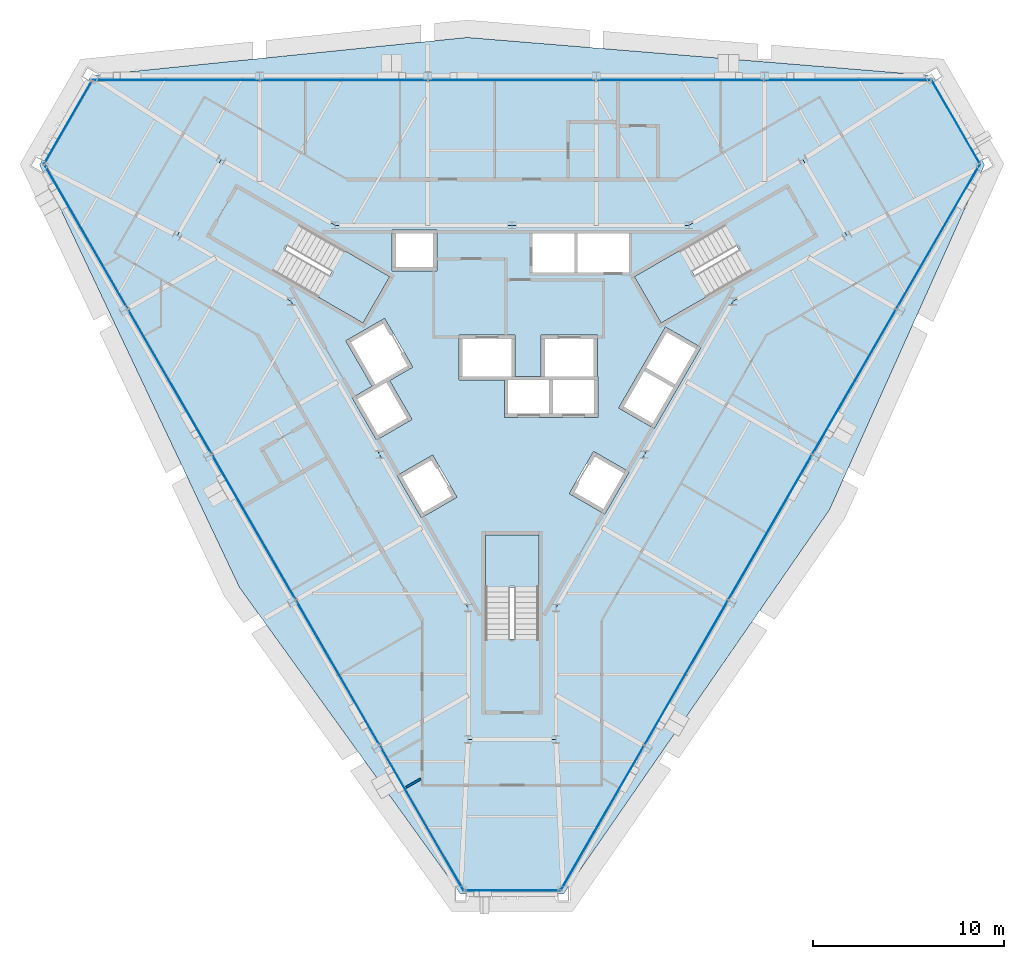
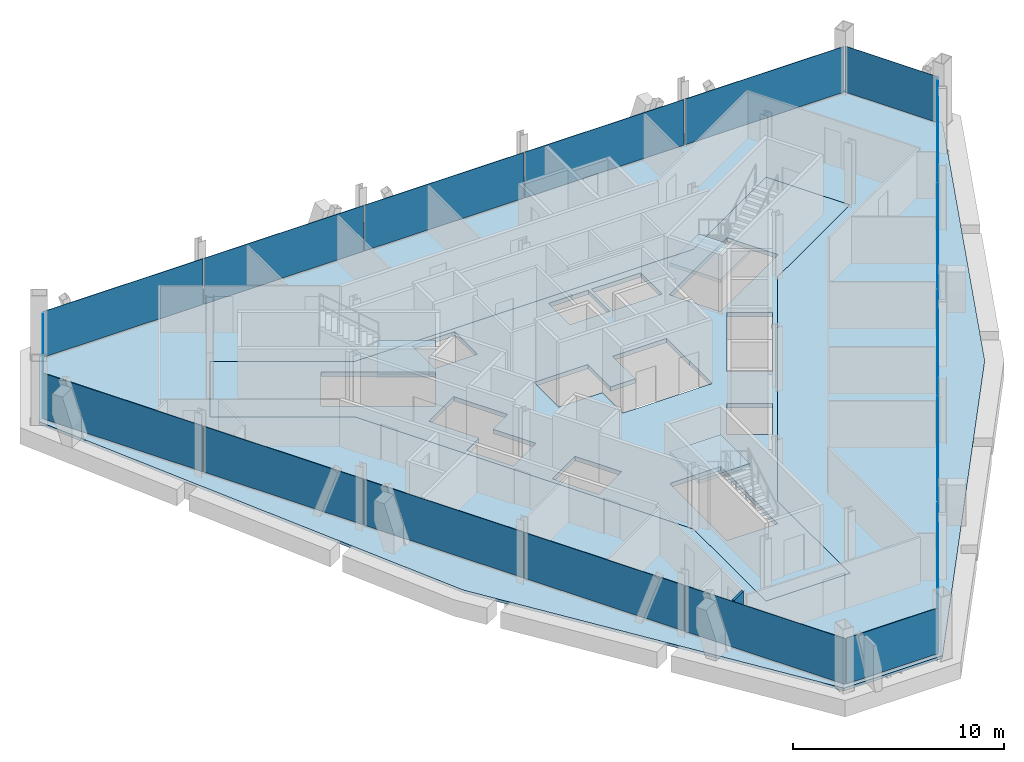
# One storey, part 8 of 14: 18 plates, 5 slabs, 1 wall, 9 elements without a shape of their own.
"""IFC4 building model written with IfcOpenShell, lengths in metres."""

import ifcopenshell
import ifcopenshell.guid

model = None  # the IFC model being written
_history = None  # IfcOwnerHistory: only IFC2X3 demands one
_inside = {}  # id of a spatial element -> (the spatial element, [elements in it])
_under = {}  # id of a project, library or spatial element -> (it, [spatial elements below it])
_declared = {}  # id of a project -> (the project, [libraries it declares])
_typed = {}  # id of a type object -> (the type object, [elements of that type])
_made_of = {}  # id of a material, layer set ... -> (it, [elements and type objects made of it])


def new_model(schema):
    """Start an empty IFC model of exactly this schema.

    Asked for "IFC4X3", IfcOpenShell would pick the latest addendum, in which some entities
    have other attributes; the version numbers below select the first issue.
    IFC2X3 requires an IfcOwnerHistory on every rooted entity: one is made here for all.
    """
    global model, _history
    if schema == "IFC4X3":
        model = ifcopenshell.file(schema_version=(4, 3, 0, 0))
    else:
        model = ifcopenshell.file(schema=schema)
    _inside.clear()
    _under.clear()
    _declared.clear()
    _typed.clear()
    _made_of.clear()
    _history = None
    if model.schema == "IFC2X3":
        org = make("IfcOrganization", Name="unknown")
        user = make(
            "IfcPersonAndOrganization",
            ThePerson=make("IfcPerson", FamilyName="unknown"),
            TheOrganization=org,
        )
        app = make(
            "IfcApplication",
            ApplicationDeveloper=org,
            Version="unknown",
            ApplicationFullName="unknown",
            ApplicationIdentifier="unknown",
        )
        _history = make(
            "IfcOwnerHistory",
            OwningUser=user,
            OwningApplication=app,
            ChangeAction="ADDED",
            CreationDate=0,
        )
    return model


def make(cls, **values):
    """One entity of the class cls with the attributes given. An attribute that is None is left unset."""
    return model.create_entity(
        cls, **{name: value for name, value in values.items() if value is not None}
    )


def rooted(cls, **values):
    """An entity with a GlobalId (a new one), such as an element, a storey or a relation."""
    return make(cls, GlobalId=ifcopenshell.guid.new(), OwnerHistory=_history, **values)


def si_unit(unit_type, name, prefix=None):
    """IfcSIUnit, for example si_unit("LENGTHUNIT", "METRE", prefix="MILLI")."""
    return make("IfcSIUnit", UnitType=unit_type, Prefix=prefix, Name=name)


def assignment(units):
    """IfcUnitAssignment: the units of a project."""
    return None if units is None else make("IfcUnitAssignment", Units=units)


def point(xyz):
    """IfcCartesianPoint."""
    return None if xyz is None else make("IfcCartesianPoint", Coordinates=xyz)


def direction(xyz):
    """IfcDirection."""
    return None if xyz is None else make("IfcDirection", DirectionRatios=xyz)


def frame(location, z_axis=None, x_axis=None):
    """IfcAxis2Placement3D, a coordinate frame: its origin and axes. An axis left out is left unset."""
    return make(
        "IfcAxis2Placement3D",
        Location=point(location),
        Axis=direction(z_axis),
        RefDirection=direction(x_axis),
    )


def frame_2d(location, x_axis=None):
    """IfcAxis2Placement2D, a coordinate frame in the plane: its origin and x axis."""
    return make(
        "IfcAxis2Placement2D", Location=point(location), RefDirection=direction(x_axis)
    )


def origin():
    """The frame at (0, 0, 0) with its axes left unset."""
    return frame((0.0, 0.0, 0.0))


def origin_2d():
    """The frame at (0, 0) in the plane with its x axis left unset."""
    return frame_2d((0.0, 0.0))


def place(relative_to, where):
    """IfcLocalPlacement: puts the frame where relative to a parent placement (None: the world)."""
    return make(
        "IfcLocalPlacement", PlacementRelTo=relative_to, RelativePlacement=where
    )


def context(
    kind, dimensions, precision=None, world=None, true_north=None, identifier=None
):
    """IfcGeometricRepresentationContext, for example the 3D "Model" context."""
    return make(
        "IfcGeometricRepresentationContext",
        ContextIdentifier=identifier,
        ContextType=kind,
        CoordinateSpaceDimension=dimensions,
        Precision=precision,
        WorldCoordinateSystem=world,
        TrueNorth=true_north,
    )


def subcontext(parent, identifier, kind, view, scale=None):
    """IfcGeometricRepresentationSubContext, for example "Body" below "Model"."""
    return make(
        "IfcGeometricRepresentationSubContext",
        ContextIdentifier=identifier,
        ContextType=kind,
        ParentContext=parent,
        TargetScale=scale,
        TargetView=view,
    )


def project(units=None, contexts=None):
    """IfcProject with its units and contexts."""
    return rooted(
        "IfcProject",
        Name="project",
        RepresentationContexts=contexts,
        UnitsInContext=assignment(units),
    )


def spatial(cls, under=None, at=None, **own):
    """A site, building, storey or space (cls), placed at a placement, below another one or the project."""
    s = rooted(cls, ObjectPlacement=at, **own)
    if under is not None:
        _under.setdefault(under.id(), (under, []))[1].append(s)
    return s


def polyline(points):
    """IfcPolyline through the points."""
    return make("IfcPolyline", Points=[point(p) for p in points])


def profile(cls, at=None, kind="AREA", **sizes):
    """A parametric profile (cls). Its sizes go by their IFC names, for example OverallWidth=200.0."""
    return make(cls, ProfileType=kind, Position=at, **sizes)


def rectangle(**sizes):
    """IfcRectangleProfileDef."""
    return profile("IfcRectangleProfileDef", **sizes)


def outline(outer, holes=None, kind="AREA"):
    """IfcArbitraryClosedProfileDef: a profile drawn as a closed curve; with holes, ...WithVoids."""
    if holes is None:
        return make("IfcArbitraryClosedProfileDef", ProfileType=kind, OuterCurve=outer)
    return make(
        "IfcArbitraryProfileDefWithVoids",
        ProfileType=kind,
        OuterCurve=outer,
        InnerCurves=holes,
    )


def extrude(swept, where, along, depth):
    """IfcExtrudedAreaSolid: the profile swept, set in the frame where, extruded along a direction by depth."""
    return make(
        "IfcExtrudedAreaSolid",
        SweptArea=swept,
        Position=where,
        ExtrudedDirection=direction(along),
        Depth=depth,
    )


def shape(context_of_items, identifier, shape_type, items):
    """IfcShapeRepresentation: the items that make up one representation, for example the "Body"."""
    return make(
        "IfcShapeRepresentation",
        ContextOfItems=context_of_items,
        RepresentationIdentifier=identifier,
        RepresentationType=shape_type,
        Items=items,
    )


def material(Name=None, Category=None):
    """IfcMaterial."""
    return make("IfcMaterial", Name=Name, Category=Category)


def layer(
    of_material, thickness, ventilated=None, Name=None, Category=None, Priority=None
):
    """IfcMaterialLayer: one layer of a wall or slab, of a material (None: an air gap)."""
    return make(
        "IfcMaterialLayer",
        Material=of_material,
        LayerThickness=thickness,
        IsVentilated=ventilated,
        Name=Name,
        Category=Category,
        Priority=Priority,
    )


def layer_set(layers, Name=None):
    """IfcMaterialLayerSet."""
    return make("IfcMaterialLayerSet", MaterialLayers=layers, LayerSetName=Name)


def made_of(thing, what):
    """Note that an element or type object is made of a material, layer set ...; save() writes the relation."""
    if what is not None:
        _made_of.setdefault(what.id(), (what, []))[1].append(thing)
    return thing


def type_object(cls, material=None, **own):
    """A type object (cls), such as IfcWallType, which elements share."""
    return made_of(rooted(cls, **own), material)


def element(
    cls,
    number,
    at=None,
    inside=None,
    cuts=None,
    type_object=None,
    material=None,
    context=None,
    identifier="Body",
    shape_type=None,
    held_by="IfcProductDefinitionShape",
    body=None,
    shapes=None,
    **own,
):
    """One element of the class cls, such as IfcWall. Its Tag is "e" and its number.

    at: its placement. inside: the storey or other place that contains it. cuts: it is an
    opening in that element (IfcRelVoidsElement). A single representation is given by context,
    identifier, shape_type and body (its items); several are given by shapes. held_by: the class
    of the entity that holds the representations. save() writes the other relations.
    """
    e = rooted(cls, Tag="e%d" % number, ObjectPlacement=at, **own)
    if body is not None:
        shapes = [shape(context, identifier, shape_type, body)]
    if shapes is not None:
        e.Representation = make(held_by, Representations=shapes)
    if inside is not None:
        _inside.setdefault(inside.id(), (inside, []))[1].append(e)
    if cuts is not None:
        rooted(
            "IfcRelVoidsElement", RelatingBuildingElement=cuts, RelatedOpeningElement=e
        )
    if type_object is not None:
        _typed.setdefault(type_object.id(), (type_object, []))[1].append(e)
    return made_of(e, material)


def aggregate(whole, parts):
    """IfcRelAggregates: a whole, such as a stair, and the parts it consists of."""
    return rooted("IfcRelAggregates", RelatingObject=whole, RelatedObjects=parts)


def save(model, path):
    """Write the relations noted so far, then the file.

    IfcRelAggregates (storeys below a building ...), IfcRelContainedInSpatialStructure (elements
    in a storey), IfcRelDefinesByType, IfcRelAssociatesMaterial and IfcRelDeclares: one each for
    every whole, place, type object, material and project.
    """
    for whole, parts in _under.values():
        aggregate(whole, parts)
    for where, things in _inside.values():
        rooted(
            "IfcRelContainedInSpatialStructure",
            RelatedElements=things,
            RelatingStructure=where,
        )
    for kind, things in _typed.values():
        rooted("IfcRelDefinesByType", RelatedObjects=things, RelatingType=kind)
    for what, things in _made_of.values():
        rooted("IfcRelAssociatesMaterial", RelatedObjects=things, RelatingMaterial=what)
    for by, libraries in _declared.values():
        rooted("IfcRelDeclares", RelatingContext=by, RelatedDefinitions=libraries)
    model.write(path)


model = new_model("IFC4")

# Units and contexts
model_context = context("Model", 3, precision=1e-05, world=origin(), true_north=direction((0.0, 1.0)))
body_context = subcontext(model_context, "Body", "Model", "MODEL_VIEW")
ifc_project = project(units=[si_unit("LENGTHUNIT", "METRE"), si_unit("AREAUNIT", "SQUARE_METRE"), si_unit("VOLUMEUNIT", "CUBIC_METRE"), si_unit("PLANEANGLEUNIT", "RADIAN"), si_unit("MASSUNIT", "GRAM", prefix="KILO")], contexts=[model_context])

# Site, building, storey
site_placement = place(None, origin())
site = spatial("IfcSite", under=ifc_project, at=site_placement, CompositionType="ELEMENT")
building_placement = place(site_placement, origin())
building = spatial("IfcBuilding", under=site, at=building_placement, Name="Verrane Prism Tower", CompositionType="ELEMENT")
storey_placement = place(building_placement, frame((0.0, 0.0, 224.89990234375)))
storey = spatial("IfcBuildingStorey", under=building, at=storey_placement, Name="L56", CompositionType="ELEMENT", Elevation=224.89990234375)

# Slabs
ifc_material_1 = material(Name="Concrete C35/45", Category="concrete")
ifc_layer_1 = layer(ifc_material_1, 0.159912109375)
ifc_layer_set_1 = layer_set([ifc_layer_1], Name="Composite floor slab")
slab_type_1 = type_object("IfcSlabType", Name="Composite floor slab", PredefinedType="FLOOR", material=ifc_layer_set_1)
slab_1_placement = place(storey_placement, frame((0.0, 0.0, -0.159912109375)))
element("IfcSlab", 1, at=slab_1_placement, inside=storey, type_object=slab_type_1, Name="Floor slab L56", PredefinedType="FLOOR", context=body_context, shape_type="SweptSolid", body=[
    extrude(outline(polyline([(16.6162109375, -6.880126953125), (2.695068359375, -26.9921875), (-2.695068359375, -26.9921875), (-14.266357421875, -10.949951171875), (-24.723388671875, 11.162109375), (-22.0283203125, 15.830078125), (-2.349609375, 17.830078125), (22.0283203125, 15.830078125), (24.723388671875, 11.162109375), (16.6162109375, -6.880126953125)]), holes=[polyline([(17.52001953125, 7.4599609375), (15.219970703125, 11.43994140625), (9.260009765625, 8.0), (0.0, 8.0), (-9.260009765625, 8.0), (-15.219970703125, 11.43994140625), (-17.52001953125, 7.4599609375), (-11.56005859375, 4.02001953125), (-6.929931640625, -4.0), (-2.300048828125, -12.02001953125), (-2.300048828125, -18.89990234375), (2.300048828125, -18.89990234375), (2.300048828125, -12.02001953125), (6.929931640625, -4.0), (11.56005859375, 4.02001953125), (17.52001953125, 7.4599609375)])]), origin(), (0.0, 0.0, 1.0), 0.159912109375),
])
ifc_material_2 = material(Name="Concrete C40/50", Category="concrete")
ifc_layer_2 = layer(ifc_material_2, 0.25)
ifc_layer_set_2 = layer_set([ifc_layer_2], Name="Core floor slab 250 concrete C40/50")
slab_type_2 = type_object("IfcSlabType", Name="Core floor slab 250 concrete C40/50", PredefinedType="FLOOR", material=ifc_layer_set_2)
slab_2_placement = place(storey_placement, frame((0.0, 0.0, -0.25)))
element("IfcSlab", 2, at=slab_2_placement, inside=storey, type_object=slab_type_2, Name="Core floor L56", PredefinedType="FLOOR", context=body_context, shape_type="SweptSolid", body=[
    extrude(outline(polyline([(11.56005859375, 4.02001953125), (17.52001953125, 7.4599609375), (15.219970703125, 11.43994140625), (9.260009765625, 8.0), (0.0, 8.0), (-9.260009765625, 8.0), (-15.219970703125, 11.43994140625), (-17.52001953125, 7.4599609375), (-11.56005859375, 4.02001953125), (-6.929931640625, -4.0), (-2.300048828125, -12.02001953125), (-2.300048828125, -18.89990234375), (2.300048828125, -18.89990234375), (2.300048828125, -12.02001953125), (6.929931640625, -4.0), (11.56005859375, 4.02001953125)]), holes=[polyline([(1.39990234375, -8.199951171875), (1.39990234375, -13.639892578125), (-1.39990234375, -13.639892578125), (-1.39990234375, -8.199951171875), (1.39990234375, -8.199951171875)]), polyline([(-2.881103515625, -6.22998046875), (-4.742919921875, -7.304931640625), (-6.01806640625, -5.096923828125), (-4.156005859375, -4.02197265625), (-2.881103515625, -6.22998046875)]), polyline([(-7.801025390625, 2.887939453125), (-12.512939453125, 5.60791015625), (-11.113037109375, 8.031982421875), (-6.40087890625, 5.31201171875), (-7.801025390625, 2.887939453125)]), polyline([(-6.284912109375, 5.610107421875), (-6.284912109375, 7.760009765625), (-3.93505859375, 7.760009765625), (-3.93505859375, 5.610107421875), (-6.284912109375, 5.610107421875)]), polyline([(4.26611328125, -3.8310546875), (6.1279296875, -4.906005859375), (4.85302734375, -7.114990234375), (2.990966796875, -6.0400390625), (4.26611328125, -3.8310546875)]), polyline([(7.43798828125, -2.636962890625), (5.575927734375, -1.56201171875), (8.02587890625, 2.680908203125), (9.887939453125, 1.60595703125), (7.43798828125, -2.636962890625)]), polyline([(0.1650390625, 0.10009765625), (1.52490234375, 0.10009765625), (1.52490234375, 2.25), (4.47509765625, 2.25), (4.47509765625, 0.10009765625), (4.4951171875, 0.10009765625), (4.4951171875, -2.050048828125), (-0.405029296875, -2.050048828125), (-0.405029296875, -0.10009765625), (-2.784912109375, -0.10009765625), (-2.784912109375, 2.25), (0.1650390625, 2.25), (0.1650390625, 0.10009765625)]), polyline([(6.40087890625, 5.31201171875), (11.113037109375, 8.031982421875), (12.512939453125, 5.60791015625), (7.801025390625, 2.887939453125), (6.40087890625, 5.31201171875)]), polyline([(1.074951171875, 5.534912109375), (1.074951171875, 7.56005859375), (3.264892578125, 7.56005859375), (3.264892578125, 5.534912109375), (1.074951171875, 5.534912109375)]), polyline([(3.4150390625, 7.56005859375), (6.125, 7.56005859375), (6.125, 5.534912109375), (3.4150390625, 5.534912109375), (3.4150390625, 7.56005859375)]), polyline([(-5.23095703125, -2.159912109375), (-7.093017578125, -3.235107421875), (-8.367919921875, -1.02587890625), (-7.3291015625, -0.426025390625), (-8.7041015625, 1.955078125), (-6.66796875, 3.1298828125), (-5.193115234375, 0.574951171875), (-6.406005859375, -0.125), (-5.23095703125, -2.159912109375)])]), origin(), (0.0, 0.0, 1.0), 0.25),
])

# Curtain wall, plate
ifc_material_3 = material(Name="Aluminium framed insulated glazing", Category="aluminium")
curtain_wall_type_1 = type_object("IfcCurtainWallType", Name="Curtain wall CW-C 4200 module", PredefinedType="NOTDEFINED", material=ifc_material_3)
curtain_wall_1_placement = place(storey_placement, origin())
curtain_wall_1 = element("IfcCurtainWall", 3, at=curtain_wall_1_placement, inside=storey, type_object=curtain_wall_type_1, Name="Glazed curtain wall north-east corner L56", PredefinedType="NOTDEFINED")
ifc_material_4 = material(Name="Low-iron insulating glass unit", Category="glass")
ifc_layer_3 = layer(ifc_material_4, 0.02392578125)
ifc_layer_set_3 = layer_set([ifc_layer_3], Name="Glazing panel IGU 24")
plate_type_1 = type_object("IfcPlateType", Name="Glazing panel IGU 24", PredefinedType="CURTAIN_PANEL", material=ifc_layer_set_3)
plate_1_placement = place(storey_placement, frame((23.209716796875, 13.428955078125, 0.05029296875), z_axis=(0.0, 0.0, 1.0), x_axis=(-0.499995175981, 0.866028188915, 0.0)))
plate_1 = element("IfcPlate", 4, at=plate_1_placement, type_object=plate_type_1, Name="CW54.1 panel 1", PredefinedType="CURTAIN_PANEL", context=body_context, shape_type="SweptSolid", body=[
    extrude(rectangle(XDim=5.017822265625, YDim=0.02392578125, at=origin_2d()), origin(), (0.0, 0.0, 1.0), 2.662841796875),
])
aggregate(curtain_wall_1, [plate_1])

# Curtain wall, plates
ifc_material_5 = material(Name="Aluminium framed insulated glazing", Category="aluminium")
curtain_wall_type_2 = type_object("IfcCurtainWallType", Name="Curtain wall CW-A 8400 module", PredefinedType="NOTDEFINED", material=ifc_material_5)
curtain_wall_2_placement = place(storey_placement, origin())
curtain_wall_2 = element("IfcCurtainWall", 5, at=curtain_wall_2_placement, inside=storey, type_object=curtain_wall_type_2, Name="Glazed curtain wall north face L56", PredefinedType="NOTDEFINED")
ifc_material_6 = material(Name="Low-iron insulating glass unit", Category="glass")
ifc_layer_4 = layer(ifc_material_6, 0.031982421875)
ifc_layer_set_4 = layer_set([ifc_layer_4], Name="Glazing panel IGU 32")
plate_type_2 = type_object("IfcPlateType", Name="Glazing panel IGU 32", PredefinedType="CURTAIN_PANEL", material=ifc_layer_set_4)
plate_2_placement = place(storey_placement, frame((17.546630859375, 15.601806640625, 0.0703125), z_axis=(0.0, 0.0, 1.0), x_axis=(-1.0, 0.0, 0.0)))
plate_2 = element("IfcPlate", 6, at=plate_2_placement, type_object=plate_type_2, Name="CW54.2 panel 1", PredefinedType="CURTAIN_PANEL", context=body_context, shape_type="SweptSolid", body=[
    extrude(rectangle(XDim=8.677001953125, YDim=0.031982421875, at=origin_2d()), origin(), (0.0, 0.0, 1.0), 2.642822265625),
])
plate_3_placement = place(storey_placement, frame((8.7822265625, 15.601806640625, 0.0703125), z_axis=(0.0, 0.0, 1.0), x_axis=(-1.0, 0.0, 0.0)))
plate_3 = element("IfcPlate", 7, at=plate_3_placement, type_object=plate_type_2, Name="CW54.2 panel 2", PredefinedType="CURTAIN_PANEL", context=body_context, shape_type="SweptSolid", body=[
    extrude(rectangle(XDim=8.712158203125, YDim=0.031982421875, at=origin_2d()), origin(), (0.0, 0.0, 1.0), 2.642822265625),
])
plate_4_placement = place(storey_placement, frame((0.0, 15.601806640625, 0.0703125), z_axis=(0.0, 0.0, 1.0), x_axis=(-1.0, 0.0, 0.0)))
plate_4 = element("IfcPlate", 8, at=plate_4_placement, type_object=plate_type_2, Name="CW54.2 panel 3", PredefinedType="CURTAIN_PANEL", context=body_context, shape_type="SweptSolid", body=[
    extrude(rectangle(XDim=8.712158203125, YDim=0.031982421875, at=origin_2d()), origin(), (0.0, 0.0, 1.0), 2.642822265625),
])
plate_5_placement = place(storey_placement, frame((-8.7822265625, 15.601806640625, 0.0703125), z_axis=(0.0, 0.0, 1.0), x_axis=(-1.0, 0.0, 0.0)))
plate_5 = element("IfcPlate", 9, at=plate_5_placement, type_object=plate_type_2, Name="CW54.2 panel 4", PredefinedType="CURTAIN_PANEL", context=body_context, shape_type="SweptSolid", body=[
    extrude(rectangle(XDim=8.712158203125, YDim=0.031982421875, at=origin_2d()), origin(), (0.0, 0.0, 1.0), 2.642822265625),
])
plate_6_placement = place(storey_placement, frame((-17.581787109375, 15.601806640625, 0.0703125), z_axis=(0.0, 0.0, 1.0), x_axis=(-1.0, 0.0, 0.0)))
plate_6 = element("IfcPlate", 10, at=plate_6_placement, type_object=plate_type_2, Name="CW54.2 panel 5", PredefinedType="CURTAIN_PANEL", context=body_context, shape_type="SweptSolid", body=[
    extrude(rectangle(XDim=8.7470703125, YDim=0.031982421875, at=origin_2d()), origin(), (0.0, 0.0, 1.0), 2.642822265625),
])
aggregate(curtain_wall_2, [plate_2, plate_3, plate_4, plate_5, plate_6])

# Curtain wall, plate
curtain_wall_3_placement = place(storey_placement, origin())
curtain_wall_3 = element("IfcCurtainWall", 11, at=curtain_wall_3_placement, inside=storey, type_object=curtain_wall_type_2, Name="Glazed curtain wall north-west corner L56", PredefinedType="NOTDEFINED")
plate_7_placement = place(storey_placement, frame((-23.23974609375, 13.376953125, 0.0703125), z_axis=(0.0, 0.0, 1.0), x_axis=(-0.499995175981, -0.866028188915, 0.0)))
plate_7 = element("IfcPlate", 12, at=plate_7_placement, type_object=plate_type_2, Name="CW54.3 panel 1", PredefinedType="CURTAIN_PANEL", context=body_context, shape_type="SweptSolid", body=[
    extrude(rectangle(XDim=4.997802734375, YDim=0.031982421875, at=origin_2d()), origin(), (0.0, 0.0, 1.0), 2.642822265625),
])
aggregate(curtain_wall_3, [plate_7])

# Curtain wall, plates
curtain_wall_4_placement = place(storey_placement, origin())
curtain_wall_4 = element("IfcCurtainWall", 13, at=curtain_wall_4_placement, inside=storey, type_object=curtain_wall_type_2, Name="Glazed curtain wall south-west face L56", PredefinedType="NOTDEFINED")
plate_8_placement = place(storey_placement, frame((-22.284912109375, 7.39501953125, 0.0703125), z_axis=(0.0, 0.0, 1.0), x_axis=(0.500000937764, -0.866024862365, 0.0)))
plate_8 = element("IfcPlate", 14, at=plate_8_placement, type_object=plate_type_2, Name="CW54.4 panel 1", PredefinedType="CURTAIN_PANEL", context=body_context, shape_type="SweptSolid", body=[
    extrude(rectangle(XDim=8.677001953125, YDim=0.031982421875, at=origin_2d()), origin(), (0.0, 0.0, 1.0), 2.642822265625),
])
plate_9_placement = place(storey_placement, frame((-17.902587890625, -0.1953125, 0.0703125), z_axis=(0.0, 0.0, 1.0), x_axis=(0.500000937764, -0.866024862365, 0.0)))
plate_9 = element("IfcPlate", 15, at=plate_9_placement, type_object=plate_type_2, Name="CW54.4 panel 2", PredefinedType="CURTAIN_PANEL", context=body_context, shape_type="SweptSolid", body=[
    extrude(rectangle(XDim=8.712158203125, YDim=0.031982421875, at=origin_2d()), origin(), (0.0, 0.0, 1.0), 2.642822265625),
])
plate_10_placement = place(storey_placement, frame((-13.511474609375, -7.80078125, 0.0703125), z_axis=(0.0, 0.0, 1.0), x_axis=(0.500000937764, -0.866024862365, 0.0)))
plate_10 = element("IfcPlate", 16, at=plate_10_placement, type_object=plate_type_2, Name="CW54.4 panel 3", PredefinedType="CURTAIN_PANEL", context=body_context, shape_type="SweptSolid", body=[
    extrude(rectangle(XDim=8.712158203125, YDim=0.031982421875, at=origin_2d()), origin(), (0.0, 0.0, 1.0), 2.642822265625),
])
plate_11_placement = place(storey_placement, frame((-9.12060546875, -15.406494140625, 0.0703125), z_axis=(0.0, 0.0, 1.0), x_axis=(0.500000937764, -0.866024862365, 0.0)))
plate_11 = element("IfcPlate", 17, at=plate_11_placement, type_object=plate_type_2, Name="CW54.4 panel 4", PredefinedType="CURTAIN_PANEL", context=body_context, shape_type="SweptSolid", body=[
    extrude(rectangle(XDim=8.712158203125, YDim=0.031982421875, at=origin_2d()), origin(), (0.0, 0.0, 1.0), 2.642822265625),
])

# Curtain wall, plate
curtain_wall_5_placement = place(storey_placement, origin())
curtain_wall_5 = element("IfcCurtainWall", 18, at=curtain_wall_5_placement, inside=storey, type_object=curtain_wall_type_2, Name="Glazed curtain wall south corner L56", PredefinedType="NOTDEFINED")
plate_12_placement = place(storey_placement, frame((0.034912109375, -26.814697265625, 0.0703125), z_axis=(0.0, 0.0, 1.0), x_axis=(1.0, 0.0, 0.0)))
plate_12 = element("IfcPlate", 19, at=plate_12_placement, type_object=plate_type_2, Name="CW54.5 panel 1", PredefinedType="CURTAIN_PANEL", context=body_context, shape_type="SweptSolid", body=[
    extrude(rectangle(XDim=4.997802734375, YDim=0.031982421875, at=origin_2d()), origin(), (0.0, 0.0, 1.0), 2.642822265625),
])
aggregate(curtain_wall_5, [plate_12])

# Curtain wall, plates
curtain_wall_6_placement = place(storey_placement, origin())
curtain_wall_6 = element("IfcCurtainWall", 20, at=curtain_wall_6_placement, inside=storey, type_object=curtain_wall_type_2, Name="Glazed curtain wall south-east face L56", PredefinedType="NOTDEFINED")
plate_13_placement = place(storey_placement, frame((4.73828125, -22.996826171875, 0.0703125), z_axis=(0.0, 0.0, 1.0), x_axis=(0.500000937764, 0.866024862365, 0.0)))
plate_13 = element("IfcPlate", 21, at=plate_13_placement, type_object=plate_type_2, Name="CW54.6 panel 1", PredefinedType="CURTAIN_PANEL", context=body_context, shape_type="SweptSolid", body=[
    extrude(rectangle(XDim=8.677001953125, YDim=0.031982421875, at=origin_2d()), origin(), (0.0, 0.0, 1.0), 2.642822265625),
])
plate_14_placement = place(storey_placement, frame((9.12060546875, -15.406494140625, 0.0703125), z_axis=(0.0, 0.0, 1.0), x_axis=(0.500000937764, 0.866024862365, 0.0)))
plate_14 = element("IfcPlate", 22, at=plate_14_placement, type_object=plate_type_2, Name="CW54.6 panel 2", PredefinedType="CURTAIN_PANEL", context=body_context, shape_type="SweptSolid", body=[
    extrude(rectangle(XDim=8.712158203125, YDim=0.031982421875, at=origin_2d()), origin(), (0.0, 0.0, 1.0), 2.642822265625),
])
plate_15_placement = place(storey_placement, frame((13.511474609375, -7.80078125, 0.0703125), z_axis=(0.0, 0.0, 1.0), x_axis=(0.500000937764, 0.866024862365, 0.0)))
plate_15 = element("IfcPlate", 23, at=plate_15_placement, type_object=plate_type_2, Name="CW54.6 panel 3", PredefinedType="CURTAIN_PANEL", context=body_context, shape_type="SweptSolid", body=[
    extrude(rectangle(XDim=8.712158203125, YDim=0.031982421875, at=origin_2d()), origin(), (0.0, 0.0, 1.0), 2.642822265625),
])
plate_16_placement = place(storey_placement, frame((17.902587890625, -0.1953125, 0.0703125), z_axis=(0.0, 0.0, 1.0), x_axis=(0.500000937764, 0.866024862365, 0.0)))
plate_16 = element("IfcPlate", 24, at=plate_16_placement, type_object=plate_type_2, Name="CW54.6 panel 4", PredefinedType="CURTAIN_PANEL", context=body_context, shape_type="SweptSolid", body=[
    extrude(rectangle(XDim=8.712158203125, YDim=0.031982421875, at=origin_2d()), origin(), (0.0, 0.0, 1.0), 2.642822265625),
])

# Stair, slab
ifc_material_7 = material(Name="Concrete C40/50", Category="concrete")
stair_type = type_object("IfcStairType", Name="Exit stair 1300 dog-leg precast concrete C40/50", PredefinedType="HALF_TURN_STAIR", material=ifc_material_7)
stair_1_placement = place(storey_placement, origin())
stair_1 = element("IfcStair", 25, at=stair_1_placement, inside=storey, type_object=stair_type, Name="Stair 1 L56", PredefinedType="HALF_TURN_STAIR")
ifc_material_8 = material(Name="Concrete C40/50", Category="concrete")
ifc_layer_5 = layer(ifc_material_8, 0.199951171875)
ifc_layer_set_5 = layer_set([ifc_layer_5], Name="Stair landing 200 precast concrete C40/50")
slab_type_3 = type_object("IfcSlabType", Name="Stair landing 200 precast concrete C40/50", PredefinedType="LANDING", material=ifc_layer_set_5)
slab_3_placement = place(storey_placement, frame((0.0, 0.0, 1.650146484375)))
slab_3 = element("IfcSlab", 26, at=slab_3_placement, type_object=slab_type_3, Name="Stair 1 landing 1", PredefinedType="LANDING", context=body_context, shape_type="SweptSolid", body=[
    extrude(outline(polyline([(8.791748046875, 6.6923828125), (6.4013671875, 5.3125), (7.801513671875, 2.887451171875), (10.191650390625, 4.267578125), (8.791748046875, 6.6923828125)])), origin(), (0.0, 0.0, 1.0), 0.199951171875),
])
aggregate(stair_1, [slab_3])

stair_2_placement = place(storey_placement, origin())
stair_2 = element("IfcStair", 27, at=stair_2_placement, inside=storey, type_object=stair_type, Name="Stair 2 L56", PredefinedType="HALF_TURN_STAIR")
slab_4_placement = place(storey_placement, frame((0.0, 0.0, 1.650146484375)))
slab_4 = element("IfcSlab", 28, at=slab_4_placement, type_object=slab_type_3, Name="Stair 2 landing 1", PredefinedType="LANDING", context=body_context, shape_type="SweptSolid", body=[
    extrude(outline(polyline([(-10.191650390625, 4.267578125), (-7.801513671875, 2.887451171875), (-6.4013671875, 5.3125), (-8.791748046875, 6.6923828125), (-10.191650390625, 4.267578125)])), origin(), (0.0, 0.0, 1.0), 0.199951171875),
])
aggregate(stair_2, [slab_4])

stair_3_placement = place(storey_placement, origin())
stair_3 = element("IfcStair", 29, at=stair_3_placement, inside=storey, type_object=stair_type, Name="Stair 3 L56", PredefinedType="HALF_TURN_STAIR")
slab_5_placement = place(storey_placement, frame((0.0, 0.0, 1.650146484375)))
slab_5 = element("IfcSlab", 30, at=slab_5_placement, type_object=slab_type_3, Name="Stair 3 landing 1", PredefinedType="LANDING", context=body_context, shape_type="SweptSolid", body=[
    extrude(outline(polyline([(1.39990234375, -10.9599609375), (1.39990234375, -8.199951171875), (-1.39990234375, -8.199951171875), (-1.39990234375, -10.9599609375), (1.39990234375, -10.9599609375)])), origin(), (0.0, 0.0, 1.0), 0.199951171875),
])
aggregate(stair_3, [slab_5])

# Plate
ifc_material_9 = material(Name="Warm limestone cladding", Category="masonry")
ifc_layer_6 = layer(ifc_material_9, 0.028076171875)
ifc_layer_set_6 = layer_set([ifc_layer_6], Name="Stone-faced spandrel panel 28")
plate_type_3 = type_object("IfcPlateType", Name="Stone-faced spandrel panel 28", PredefinedType="CURTAIN_PANEL", material=ifc_layer_set_6)
plate_17_placement = place(storey_placement, frame((-4.720703125, -23.027099609375, 0.0703125), z_axis=(0.0, 0.0, 1.0), x_axis=(0.500000937764, -0.866024862365, 0.0)))
plate_17 = element("IfcPlate", 31, at=plate_17_placement, type_object=plate_type_3, Name="CW54.4 panel 5", PredefinedType="CURTAIN_PANEL", context=body_context, shape_type="SweptSolid", body=[
    extrude(rectangle(XDim=8.7470703125, YDim=0.028076171875, at=origin_2d()), origin(), (0.0, 0.0, 1.0), 2.642822265625),
])

aggregate(curtain_wall_4, [plate_8, plate_9, plate_10, plate_11, plate_17])

plate_18_placement = place(storey_placement, frame((22.302490234375, 7.42529296875, 0.0703125), z_axis=(0.0, 0.0, 1.0), x_axis=(0.500000937764, 0.866024862365, 0.0)))
plate_18 = element("IfcPlate", 32, at=plate_18_placement, type_object=plate_type_3, Name="CW54.6 panel 5", PredefinedType="CURTAIN_PANEL", context=body_context, shape_type="SweptSolid", body=[
    extrude(rectangle(XDim=8.7470703125, YDim=0.028076171875, at=origin_2d()), origin(), (0.0, 0.0, 1.0), 2.642822265625),
])

aggregate(curtain_wall_6, [plate_13, plate_14, plate_15, plate_16, plate_18])

# Wall
ifc_material_10 = material(Name="Gypsum board partition", Category="other")
ifc_layer_7 = layer(ifc_material_10, 0.125)
ifc_layer_set_7 = layer_set([ifc_layer_7], Name="PW-125 corridor wall 1 h")
wall_type = type_object("IfcWallType", Name="PW-125 corridor wall 1 h", PredefinedType="PARTITIONING", material=ifc_layer_set_7)
wall_placement = place(storey_placement, frame((-5.5439453125, -21.4091796875, 0.0), z_axis=(0.0, 0.0, 1.0), x_axis=(0.866089597041, 0.499888797531, 0.0)))
element("IfcWall", 33, at=wall_placement, inside=storey, type_object=wall_type, Name="Corridor wall 017", PredefinedType="PARTITIONING", context=body_context, shape_type="SweptSolid", body=[
    extrude(rectangle(XDim=0.889404296875, YDim=0.125, at=frame_2d((0.44482421875, 0.0))), origin(), (0.0, 0.0, 1.0), 2.713134765625),
])

save(model, "model.ifc")
